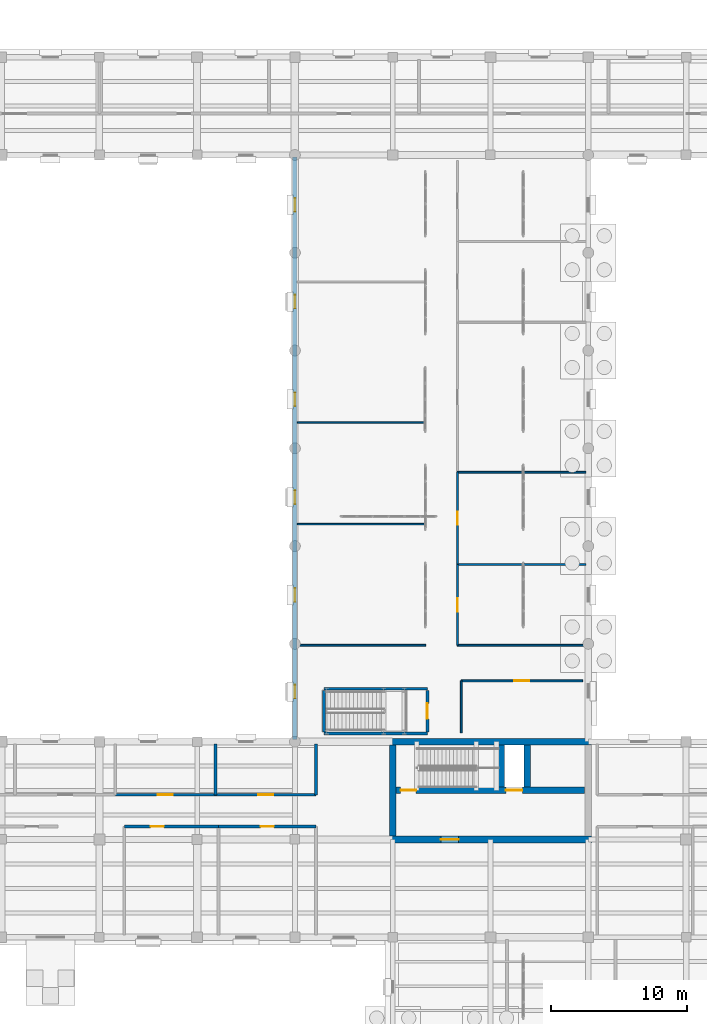
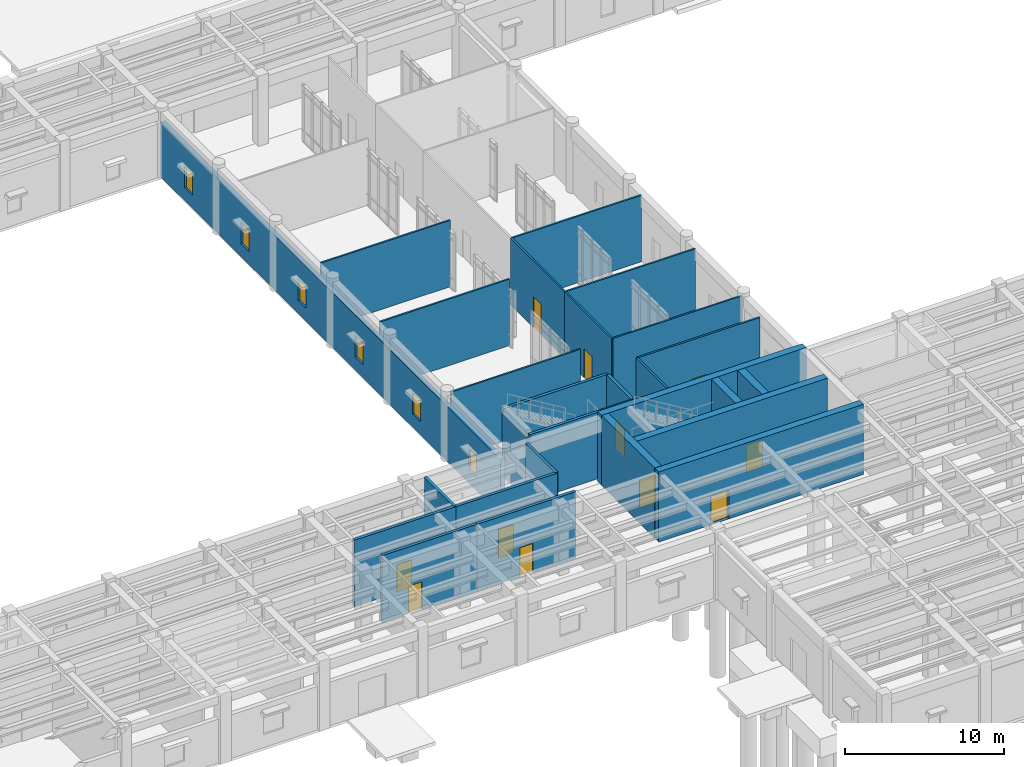
# One storey, part 72 of 100: 27 walls, 11 doors, 6 windows, 17 openings.
"""IFC4 building model written with IfcOpenShell, lengths in metres."""

from ifc_helpers import new_model, si_unit, direction, frame, frame_2d, origin, place, context, subcontext, project, spatial, rectangle, extrude, material, layer, layer_set, type_object, element, fill, save


model = new_model("IFC4")

# Units and contexts
model_context = context("Model", 3, precision=1e-05, world=origin(), true_north=direction((0.0, 1.0)))
body_context = subcontext(model_context, "Body", "Model", "MODEL_VIEW")
ifc_project = project(units=[si_unit("LENGTHUNIT", "METRE"), si_unit("AREAUNIT", "SQUARE_METRE"), si_unit("VOLUMEUNIT", "CUBIC_METRE"), si_unit("PLANEANGLEUNIT", "RADIAN"), si_unit("MASSUNIT", "GRAM", prefix="KILO")], contexts=[model_context])

# Site, building, storey
site_placement = place(None, origin())
site = spatial("IfcSite", under=ifc_project, at=site_placement, CompositionType="ELEMENT")
building_placement = place(site_placement, origin())
building = spatial("IfcBuilding", under=site, at=building_placement, Name="Mithqara Police Headquarters", CompositionType="ELEMENT")
storey_placement = place(building_placement, origin())
storey = spatial("IfcBuildingStorey", under=building, at=storey_placement, Name="L00", CompositionType="ELEMENT", Elevation=0.0)

# Wall, openings, windows
ifc_material_1 = material(Name="Limestone ashlar masonry, 45 MPa", Category="masonry")
ifc_layer_1 = layer(ifc_material_1, 0.320068359375, Name="Limestone ashlar masonry, 45 MPa")
ifc_layer_set_1 = layer_set([ifc_layer_1], Name="Limestone ashlar masonry, 45 MPa")
wall_type_1 = type_object("IfcWallType", Name="EXT WALL LIMESTONE320", PredefinedType="SOLIDWALL", material=ifc_layer_set_1)
wall_1_placement = place(storey_placement, frame((72.60009765625, 78.43994140625, 0.0), z_axis=(0.0, 0.0, 1.0), x_axis=(0.0, -1.0, 0.0)))
wall_1 = element("IfcWall", 1, at=wall_1_placement, inside=storey, type_object=wall_type_1, Name="L00 Exterior Wall 4.1", PredefinedType="SOLIDWALL", context=body_context, shape_type="SweptSolid", body=[
    extrude(rectangle(XDim=42.8798828125, YDim=0.320068359375, at=frame_2d((21.43994140625, 0.0))), origin(), (0.0, 0.0, 1.0), 4.219970703125),
])
opening_1_placement = place(wall_1_placement, frame((38.860107421875, 0.0, 1.0)))
opening_1 = element("IfcOpeningElement", 2, at=opening_1_placement, cuts=wall_1, Name="Opening W-07", PredefinedType="OPENING", context=body_context, shape_type="SweptSolid", body=[
    extrude(rectangle(XDim=1.0, YDim=1.64990234375, at=frame_2d((0.5, 0.824951171875))), frame((0.0, 0.169921875, 0.0), z_axis=(0.0, -1.0, 0.0), x_axis=(1.0, 0.0, 0.0)), (0.0, 0.0, 1.0), 0.340087890625),
])
opening_2_placement = place(wall_1_placement, frame((31.739990234375, 0.0, 1.0)))
opening_2 = element("IfcOpeningElement", 3, at=opening_2_placement, cuts=wall_1, Name="Opening W-07", PredefinedType="OPENING", context=body_context, shape_type="SweptSolid", body=[
    extrude(rectangle(XDim=1.0, YDim=1.64990234375, at=frame_2d((0.5, 0.824951171875))), frame((0.0, 0.169921875, 0.0), z_axis=(0.0, -1.0, 0.0), x_axis=(1.0, 0.0, 0.0)), (0.0, 0.0, 1.0), 0.340087890625),
])
opening_3_placement = place(wall_1_placement, frame((24.5400390625, 0.0, 1.0)))
opening_3 = element("IfcOpeningElement", 4, at=opening_3_placement, cuts=wall_1, Name="Opening W-07", PredefinedType="OPENING", context=body_context, shape_type="SweptSolid", body=[
    extrude(rectangle(XDim=1.0, YDim=1.64990234375, at=frame_2d((0.5, 0.824951171875))), frame((0.0, 0.169921875, 0.0), z_axis=(0.0, -1.0, 0.0), x_axis=(1.0, 0.0, 0.0)), (0.0, 0.0, 1.0), 0.340087890625),
])
opening_4_placement = place(wall_1_placement, frame((17.340087890625, 0.0, 1.0)))
opening_4 = element("IfcOpeningElement", 5, at=opening_4_placement, cuts=wall_1, Name="Opening W-07", PredefinedType="OPENING", context=body_context, shape_type="SweptSolid", body=[
    extrude(rectangle(XDim=1.0, YDim=1.64990234375, at=frame_2d((0.5, 0.824951171875))), frame((0.0, 0.169921875, 0.0), z_axis=(0.0, -1.0, 0.0), x_axis=(1.0, 0.0, 0.0)), (0.0, 0.0, 1.0), 0.340087890625),
])
opening_5_placement = place(wall_1_placement, frame((10.139892578125, 0.0, 1.0)))
opening_5 = element("IfcOpeningElement", 6, at=opening_5_placement, cuts=wall_1, Name="Opening W-07", PredefinedType="OPENING", context=body_context, shape_type="SweptSolid", body=[
    extrude(rectangle(XDim=1.0, YDim=1.64990234375, at=frame_2d((0.5, 0.824951171875))), frame((0.0, 0.169921875, 0.0), z_axis=(0.0, -1.0, 0.0), x_axis=(1.0, 0.0, 0.0)), (0.0, 0.0, 1.0), 0.340087890625),
])
opening_6_placement = place(wall_1_placement, frame((3.02001953125, 0.0, 1.0)))
opening_6 = element("IfcOpeningElement", 7, at=opening_6_placement, cuts=wall_1, Name="Opening W-07", PredefinedType="OPENING", context=body_context, shape_type="SweptSolid", body=[
    extrude(rectangle(XDim=1.0, YDim=1.64990234375, at=frame_2d((0.5, 0.824951171875))), frame((0.0, 0.169921875, 0.0), z_axis=(0.0, -1.0, 0.0), x_axis=(1.0, 0.0, 0.0)), (0.0, 0.0, 1.0), 0.340087890625),
])
ifc_material_2 = material(Name="Spectrally selective double low-e glass", Category="glass")
window_type = type_object("IfcWindowType", Name="WINDOW 1000X1650", PartitioningType="SINGLE_PANEL", PredefinedType="WINDOW", material=ifc_material_2)
window_1_placement = place(opening_1_placement, origin())
window_1 = element("IfcWindow", 8, at=window_1_placement, inside=storey, type_object=window_type, Name="L00 Deep-Set Punched Window 4.1", OverallHeight=1.64990234375, OverallWidth=1.0, PartitioningType="SINGLE_PANEL", PredefinedType="WINDOW", context=body_context, shape_type="SweptSolid", body=[
    extrude(rectangle(XDim=1.0, YDim=1.64990234375, at=frame_2d((0.5, 0.824951171875))), frame((0.0, 0.030029296875, 0.0), z_axis=(0.0, -1.0, 0.0), x_axis=(1.0, 0.0, 0.0)), (0.0, 0.0, 1.0), 0.06005859375),
])
fill(opening_1, window_1)
window_2_placement = place(opening_2_placement, origin())
window_2 = element("IfcWindow", 9, at=window_2_placement, inside=storey, type_object=window_type, Name="L00 Deep-Set Punched Window 4.2", OverallHeight=1.64990234375, OverallWidth=1.0, PartitioningType="SINGLE_PANEL", PredefinedType="WINDOW", context=body_context, shape_type="SweptSolid", body=[
    extrude(rectangle(XDim=1.0, YDim=1.64990234375, at=frame_2d((0.5, 0.824951171875))), frame((0.0, 0.030029296875, 0.0), z_axis=(0.0, -1.0, 0.0), x_axis=(1.0, 0.0, 0.0)), (0.0, 0.0, 1.0), 0.06005859375),
])
fill(opening_2, window_2)
window_3_placement = place(opening_3_placement, origin())
window_3 = element("IfcWindow", 10, at=window_3_placement, inside=storey, type_object=window_type, Name="L00 Deep-Set Punched Window 4.3", OverallHeight=1.64990234375, OverallWidth=1.0, PartitioningType="SINGLE_PANEL", PredefinedType="WINDOW", context=body_context, shape_type="SweptSolid", body=[
    extrude(rectangle(XDim=1.0, YDim=1.64990234375, at=frame_2d((0.5, 0.824951171875))), frame((0.0, 0.030029296875, 0.0), z_axis=(0.0, -1.0, 0.0), x_axis=(1.0, 0.0, 0.0)), (0.0, 0.0, 1.0), 0.06005859375),
])
fill(opening_3, window_3)
window_4_placement = place(opening_4_placement, origin())
window_4 = element("IfcWindow", 11, at=window_4_placement, inside=storey, type_object=window_type, Name="L00 Deep-Set Punched Window 4.4", OverallHeight=1.64990234375, OverallWidth=1.0, PartitioningType="SINGLE_PANEL", PredefinedType="WINDOW", context=body_context, shape_type="SweptSolid", body=[
    extrude(rectangle(XDim=1.0, YDim=1.64990234375, at=frame_2d((0.5, 0.824951171875))), frame((0.0, 0.030029296875, 0.0), z_axis=(0.0, -1.0, 0.0), x_axis=(1.0, 0.0, 0.0)), (0.0, 0.0, 1.0), 0.06005859375),
])
fill(opening_4, window_4)
window_5_placement = place(opening_5_placement, origin())
window_5 = element("IfcWindow", 12, at=window_5_placement, inside=storey, type_object=window_type, Name="L00 Deep-Set Punched Window 4.5", OverallHeight=1.64990234375, OverallWidth=1.0, PartitioningType="SINGLE_PANEL", PredefinedType="WINDOW", context=body_context, shape_type="SweptSolid", body=[
    extrude(rectangle(XDim=1.0, YDim=1.64990234375, at=frame_2d((0.5, 0.824951171875))), frame((0.0, 0.030029296875, 0.0), z_axis=(0.0, -1.0, 0.0), x_axis=(1.0, 0.0, 0.0)), (0.0, 0.0, 1.0), 0.06005859375),
])
fill(opening_5, window_5)
window_6_placement = place(opening_6_placement, origin())
window_6 = element("IfcWindow", 13, at=window_6_placement, inside=storey, type_object=window_type, Name="L00 Deep-Set Punched Window 4.6", OverallHeight=1.64990234375, OverallWidth=1.0, PartitioningType="SINGLE_PANEL", PredefinedType="WINDOW", context=body_context, shape_type="SweptSolid", body=[
    extrude(rectangle(XDim=1.0, YDim=1.64990234375, at=frame_2d((0.5, 0.824951171875))), frame((0.0, 0.030029296875, 0.0), z_axis=(0.0, -1.0, 0.0), x_axis=(1.0, 0.0, 0.0)), (0.0, 0.0, 1.0), 0.06005859375),
])
fill(opening_6, window_6)

# Walls
ifc_material_3 = material(Name="Gypsum acoustic stud partition", Category="gypsum")
ifc_layer_2 = layer(ifc_material_3, 0.1201171875, Name="Gypsum acoustic stud partition")
ifc_layer_set_2 = layer_set([ifc_layer_2], Name="Gypsum acoustic stud partition")
wall_type_2 = type_object("IfcWallType", Name="PART WALL 120", PredefinedType="PARTITIONING", material=ifc_layer_set_2)
for number, where, z_axis, x_axis, name in (
    (14, (72.780029296875, 42.5, 0.0), (0.0, 0.0, 1.0), (1.0, 0.0, 0.0), "L00 Partition End Closure E0"),
    (15, (72.780029296875, 51.419921875, 0.0), (0.0, 0.0, 1.0), (1.0, 0.0, 0.0), "L00 Room Partition Public Entrance Hall"),
    (16, (72.780029296875, 58.889892578125, 0.0), (0.0, 0.0, 1.0), (1.0, 0.0, 0.0), "L00 Room Partition Front Counter"),
    (17, (84.570068359375, 42.5, 0.0), (0.0, 0.0, 1.0), (1.0, 0.0, 0.0), "L00 Partition End Closure E0"),
):
    element("IfcWall", number, at=place(storey_placement, frame(where, z_axis=z_axis, x_axis=x_axis)), inside=storey, type_object=wall_type_2, Name=name, PredefinedType="PARTITIONING", context=body_context, shape_type="SweptSolid", body=[
        extrude(rectangle(XDim=9.449951171875, YDim=0.1201171875, at=frame_2d((4.72509765625, 0.0))), origin(), (0.0, 0.0, 1.0), 5.1201171875),
    ])

# Wall, opening, door
wall_2_placement = place(storey_placement, frame((84.570068359375, 42.5, 0.0), z_axis=(0.0, 0.0, 1.0), x_axis=(0.0, 1.0, 0.0)))
wall_2 = element("IfcWall", 18, at=wall_2_placement, inside=storey, type_object=wall_type_2, Name="L00 Corridor Wall Female Public WC", PredefinedType="PARTITIONING", context=body_context, shape_type="SweptSolid", body=[
    extrude(rectangle(XDim=5.947021484375, YDim=0.1201171875, at=frame_2d((2.9736328125, 0.0))), origin(), (0.0, 0.0, 1.0), 5.1201171875),
])
opening_7_placement = place(wall_2_placement, frame((2.4833984375, 0.0, 0.0)))
opening_7 = element("IfcOpeningElement", 19, at=opening_7_placement, cuts=wall_2, Name="Opening D-05", PredefinedType="OPENING", context=body_context, shape_type="SweptSolid", body=[
    extrude(rectangle(XDim=0.97998046875, YDim=2.219970703125, at=frame_2d((0.489990234375, 1.10986328125))), frame((0.0, 0.070068359375, 0.0), z_axis=(0.0, -1.0, 0.0), x_axis=(1.0, 0.0, 0.0)), (0.0, 0.0, 1.0), 0.14013671875),
])
ifc_material_4 = material(Name="Acoustic solid-core timber leaf", Category="wood")
door_type_1 = type_object("IfcDoorType", Name="INT DOOR 980X2220", OperationType="NOTDEFINED", PredefinedType="DOOR", material=ifc_material_4)
door_1_placement = place(opening_7_placement, origin())
door_1 = element("IfcDoor", 20, at=door_1_placement, inside=storey, type_object=door_type_1, Name="Female Public WC Entry Door", OperationType="SINGLE_SWING_RIGHT", OverallHeight=2.219970703125, OverallWidth=0.97998046875, PredefinedType="DOOR", context=body_context, shape_type="SweptSolid", body=[
    extrude(rectangle(XDim=0.97998046875, YDim=2.219970703125, at=frame_2d((0.489990234375, 1.10986328125))), frame((0.0, 0.02490234375, 0.0), z_axis=(0.0, -1.0, 0.0), x_axis=(1.0, 0.0, 0.0)), (0.0, 0.0, 1.0), 0.050048828125),
])
fill(opening_7, door_1)

# Wall
wall_3_placement = place(storey_placement, frame((84.570068359375, 48.447021484375, 0.0), z_axis=(0.0, 0.0, 1.0), x_axis=(1.0, 0.0, 0.0)))
element("IfcWall", 21, at=wall_3_placement, inside=storey, type_object=wall_type_2, Name="L00 Room Partition Female Public WC", PredefinedType="PARTITIONING", context=body_context, shape_type="SweptSolid", body=[
    extrude(rectangle(XDim=9.449951171875, YDim=0.1201171875, at=frame_2d((4.72509765625, 0.0))), origin(), (0.0, 0.0, 1.0), 5.1201171875),
])

# Wall, opening, door
wall_4_placement = place(storey_placement, frame((84.570068359375, 48.447021484375, 0.0), z_axis=(0.0, 0.0, 1.0), x_axis=(0.0, 1.0, 0.0)))
wall_4 = element("IfcWall", 22, at=wall_4_placement, inside=storey, type_object=wall_type_2, Name="L00 Corridor Wall Accessible WC", PredefinedType="PARTITIONING", context=body_context, shape_type="SweptSolid", body=[
    extrude(rectangle(XDim=6.7958984375, YDim=0.1201171875, at=frame_2d((3.39794921875, 0.0))), origin(), (0.0, 0.0, 1.0), 5.1201171875),
])
opening_8_placement = place(wall_4_placement, frame((2.907958984375, 0.0, 0.0)))
opening_8 = element("IfcOpeningElement", 23, at=opening_8_placement, cuts=wall_4, Name="Opening D-06", PredefinedType="OPENING", context=body_context, shape_type="SweptSolid", body=[
    extrude(rectangle(XDim=0.97998046875, YDim=2.35009765625, at=frame_2d((0.489990234375, 1.175048828125))), frame((0.0, 0.070068359375, 0.0), z_axis=(0.0, -1.0, 0.0), x_axis=(1.0, 0.0, 0.0)), (0.0, 0.0, 1.0), 0.14013671875),
])
door_type_2 = type_object("IfcDoorType", Name="INT DOOR 980X2350", OperationType="NOTDEFINED", PredefinedType="DOOR", material=ifc_material_4)
door_2_placement = place(opening_8_placement, origin())
door_2 = element("IfcDoor", 24, at=door_2_placement, inside=storey, type_object=door_type_2, Name="Accessible WC Entry Door", OperationType="SINGLE_SWING_LEFT", OverallHeight=2.35009765625, OverallWidth=0.97998046875, PredefinedType="DOOR", context=body_context, shape_type="SweptSolid", body=[
    extrude(rectangle(XDim=0.97998046875, YDim=2.35009765625, at=frame_2d((0.489990234375, 1.175048828125))), frame((0.0, 0.02490234375, 0.0), z_axis=(0.0, -1.0, 0.0), x_axis=(1.0, 0.0, 0.0)), (0.0, 0.0, 1.0), 0.050048828125),
])
fill(opening_8, door_2)

# Walls
wall_5_placement = place(storey_placement, frame((84.570068359375, 55.242919921875, 0.0), z_axis=(0.0, 0.0, 1.0), x_axis=(1.0, 0.0, 0.0)))
element("IfcWall", 25, at=wall_5_placement, inside=storey, type_object=wall_type_2, Name="L00 Room Partition Accessible WC", PredefinedType="PARTITIONING", context=body_context, shape_type="SweptSolid", body=[
    extrude(rectangle(XDim=9.449951171875, YDim=0.1201171875, at=frame_2d((4.72509765625, 0.0))), origin(), (0.0, 0.0, 1.0), 5.1201171875),
])
ifc_layer_3 = layer(ifc_material_3, 0.139892578125, Name="Gypsum acoustic stud partition")
ifc_layer_set_3 = layer_set([ifc_layer_3], Name="Gypsum acoustic stud partition")
wall_type_3 = type_object("IfcWallType", Name="PART WALL 140", PredefinedType="PARTITIONING", material=ifc_layer_set_3)
wall_6_placement = place(storey_placement, frame((84.85009765625, 36.050048828125, 0.0), z_axis=(0.0, 0.0, 1.0), x_axis=(0.0, 1.0, 0.0)))
element("IfcWall", 26, at=wall_6_placement, inside=storey, type_object=wall_type_3, Name="L00 Partition End Closure E0", PredefinedType="PARTITIONING", context=body_context, shape_type="SweptSolid", body=[
    extrude(rectangle(XDim=3.829833984375, YDim=0.139892578125, at=frame_2d((1.9150390625, 0.0))), origin(), (0.0, 0.0, 1.0), 5.1201171875),
])

# Wall, opening, door
wall_7_placement = place(storey_placement, frame((84.85009765625, 39.8798828125, 0.0), z_axis=(0.0, 0.0, 1.0), x_axis=(1.0, 0.0, 0.0)))
wall_7 = element("IfcWall", 27, at=wall_7_placement, inside=storey, type_object=wall_type_3, Name="L00 Corridor Wall Public Entrance Hall", PredefinedType="PARTITIONING", context=body_context, shape_type="SweptSolid", body=[
    extrude(rectangle(XDim=8.929931640625, YDim=0.139892578125, at=frame_2d((4.46484375, 0.0))), origin(), (0.0, 0.0, 1.0), 5.1201171875),
])
opening_9_placement = place(wall_7_placement, frame((3.9150390625, 0.0, 0.0)))
opening_9 = element("IfcOpeningElement", 28, at=opening_9_placement, cuts=wall_7, Name="Opening D-10", PredefinedType="OPENING", context=body_context, shape_type="SweptSolid", body=[
    extrude(rectangle(XDim=1.10009765625, YDim=2.10009765625, at=frame_2d((0.550048828125, 1.050048828125))), frame((0.0, 0.080078125, 0.0), z_axis=(0.0, -1.0, 0.0), x_axis=(1.0, 0.0, 0.0)), (0.0, 0.0, 1.0), 0.159912109375),
])
door_type_3 = type_object("IfcDoorType", Name="INT DOOR 1100X2100", OperationType="NOTDEFINED", PredefinedType="DOOR", material=ifc_material_4)
door_3_placement = place(opening_9_placement, frame((1.10009765625, 0.0, 0.0), z_axis=(0.0, 0.0, 1.0), x_axis=(-1.0, 0.0, 0.0)))
door_3 = element("IfcDoor", 29, at=door_3_placement, inside=storey, type_object=door_type_3, Name="Public Entrance Hall Entry Door", OperationType="SINGLE_SWING_LEFT", OverallHeight=2.10009765625, OverallWidth=1.10009765625, PredefinedType="DOOR", context=body_context, shape_type="SweptSolid", body=[
    extrude(rectangle(XDim=1.10009765625, YDim=2.10009765625, at=frame_2d((0.550048828125, 1.050048828125))), frame((0.0, 0.02490234375, 0.0), z_axis=(0.0, -1.0, 0.0), x_axis=(1.0, 0.0, 0.0)), (0.0, 0.0, 1.0), 0.050048828125),
])
fill(opening_9, door_3)

# Walls
ifc_material_5 = material(Name="Concrete C40/50", Category="concrete")
ifc_layer_4 = layer(ifc_material_5, 0.2099609375, Name="Concrete C40/50")
ifc_layer_set_4 = layer_set([ifc_layer_4], Name="Concrete C40/50")
wall_type_4 = type_object("IfcWallType", Name="PART WALL 210", PredefinedType="PARTITIONING", material=ifc_layer_set_4)
for number, where, z_axis, x_axis, name in (
    (30, (74.75, 36.0, 0.0), (0.0, 0.0, 1.0), (1.0, 0.0, 0.0), "L00 ST-05 Stair Enclosure Wall S"),
    (31, (74.75, 39.300048828125, 0.0), (0.0, 0.0, 1.0), (1.0, 0.0, 0.0), "L00 ST-05 Stair Enclosure Wall N"),
):
    element("IfcWall", number, at=place(storey_placement, frame(where, z_axis=z_axis, x_axis=x_axis)), inside=storey, type_object=wall_type_4, Name=name, PredefinedType="PARTITIONING", context=body_context, shape_type="SweptSolid", body=[
        extrude(rectangle(XDim=7.60009765625, YDim=0.2099609375, at=frame_2d((3.800048828125, 0.0))), origin(), (0.0, 0.0, 1.0), 5.1201171875),
    ])
wall_8_placement = place(storey_placement, frame((74.75, 36.114990234375, 0.0), z_axis=(0.0, 0.0, 1.0), x_axis=(0.0, 1.0, 0.0)))
element("IfcWall", 32, at=wall_8_placement, inside=storey, type_object=wall_type_4, Name="L00 ST-05 Stair Enclosure Wall W", PredefinedType="PARTITIONING", context=body_context, shape_type="SweptSolid", body=[
    extrude(rectangle(XDim=3.070068359375, YDim=0.2099609375, at=frame_2d((1.53515625, 0.0))), origin(), (0.0, 0.0, 1.0), 4.860107421875),
])

# Wall, opening, door
wall_9_placement = place(storey_placement, frame((82.35009765625, 36.114990234375, 0.0), z_axis=(0.0, 0.0, 1.0), x_axis=(0.0, 1.0, 0.0)))
wall_9 = element("IfcWall", 33, at=wall_9_placement, inside=storey, type_object=wall_type_4, Name="L00 ST-05 Stair Enclosure Wall E", PredefinedType="PARTITIONING", context=body_context, shape_type="SweptSolid", body=[
    extrude(rectangle(XDim=3.070068359375, YDim=0.2099609375, at=frame_2d((1.53515625, 0.0))), origin(), (0.0, 0.0, 1.0), 5.1201171875),
])
opening_10_placement = place(wall_9_placement, frame((0.9599609375, 0.0, 0.0)))
opening_10 = element("IfcOpeningElement", 34, at=opening_10_placement, cuts=wall_9, Name="Opening FD-01", PredefinedType="OPENING", context=body_context, shape_type="SweptSolid", body=[
    extrude(rectangle(XDim=1.14990234375, YDim=2.14990234375, at=frame_2d((0.574951171875, 1.074951171875))), frame((0.0, 0.114990234375, 0.0), z_axis=(0.0, -1.0, 0.0), x_axis=(1.0, 0.0, 0.0)), (0.0, 0.0, 1.0), 0.22998046875),
])
ifc_material_6 = material(Name="Steel S355JR", Category="steel")
door_type_4 = type_object("IfcDoorType", Name="CORE DOOR STAIR 1150X2150", OperationType="NOTDEFINED", PredefinedType="DOOR", material=ifc_material_6)
door_4_placement = place(opening_10_placement, origin())
door_4 = element("IfcDoor", 35, at=door_4_placement, inside=storey, type_object=door_type_4, Name="L00 ST-05 Gallery Stair Door", OperationType="SINGLE_SWING_LEFT", OverallHeight=2.14990234375, OverallWidth=1.14990234375, PredefinedType="DOOR", context=body_context, shape_type="SweptSolid", body=[
    extrude(rectangle(XDim=1.14990234375, YDim=2.14990234375, at=frame_2d((0.574951171875, 1.074951171875))), frame((0.0, 0.02490234375, 0.0), z_axis=(0.0, -1.0, 0.0), x_axis=(1.0, 0.0, 0.0)), (0.0, 0.0, 1.0), 0.050048828125),
])
fill(opening_10, door_4)

wall_10_placement = place(storey_placement, frame((60.033935546875, 29.14990234375, 0.0), z_axis=(0.0, 0.0, 1.0), x_axis=(1.0, 0.0, 0.0)))
wall_10 = element("IfcWall", 36, at=wall_10_placement, inside=storey, type_object=wall_type_4, Name="L00 Corridor Wall Witness Reception Room", PredefinedType="PARTITIONING", context=body_context, shape_type="SweptSolid", body=[
    extrude(rectangle(XDim=6.93310546875, YDim=0.2099609375, at=frame_2d((3.466552734375, 0.0))), origin(), (0.0, 0.0, 1.0), 5.1201171875),
])
opening_11_placement = place(wall_10_placement, frame((1.9365234375, 0.0, 0.0)))
opening_11 = element("IfcOpeningElement", 37, at=opening_11_placement, cuts=wall_10, Name="Opening D-04", PredefinedType="OPENING", context=body_context, shape_type="SweptSolid", body=[
    extrude(rectangle(XDim=0.97998046875, YDim=2.10009765625, at=frame_2d((0.489990234375, 1.050048828125))), frame((0.0, 0.114990234375, 0.0), z_axis=(0.0, -1.0, 0.0), x_axis=(1.0, 0.0, 0.0)), (0.0, 0.0, 1.0), 0.22998046875),
])
door_type_5 = type_object("IfcDoorType", Name="INT DOOR 980X2100", OperationType="NOTDEFINED", PredefinedType="DOOR", material=ifc_material_4)
door_5_placement = place(opening_11_placement, frame((0.97998046875, 0.0, 0.0), z_axis=(0.0, 0.0, 1.0), x_axis=(-1.0, 0.0, 0.0)))
door_5 = element("IfcDoor", 38, at=door_5_placement, inside=storey, type_object=door_type_5, Name="Witness Reception Room Entry Door", OperationType="SINGLE_SWING_LEFT", OverallHeight=2.10009765625, OverallWidth=0.97998046875, PredefinedType="DOOR", context=body_context, shape_type="SweptSolid", body=[
    extrude(rectangle(XDim=0.97998046875, YDim=2.10009765625, at=frame_2d((0.489990234375, 1.050048828125))), frame((0.0, 0.02490234375, 0.0), z_axis=(0.0, -1.0, 0.0), x_axis=(1.0, 0.0, 0.0)), (0.0, 0.0, 1.0), 0.050048828125),
])
fill(opening_11, door_5)

wall_11_placement = place(storey_placement, frame((66.967041015625, 29.14990234375, 0.0), z_axis=(0.0, 0.0, 1.0), x_axis=(1.0, 0.0, 0.0)))
wall_11 = element("IfcWall", 39, at=wall_11_placement, inside=storey, type_object=wall_type_4, Name="L00 Corridor Wall Lost and Found Counter", PredefinedType="PARTITIONING", context=body_context, shape_type="SweptSolid", body=[
    extrude(rectangle(XDim=7.182861328125, YDim=0.2099609375, at=frame_2d((3.59130859375, 0.0))), origin(), (0.0, 0.0, 1.0), 5.1201171875),
])
opening_12_placement = place(wall_11_placement, frame((3.1015625, 0.0, 0.0)))
opening_12 = element("IfcOpeningElement", 40, at=opening_12_placement, cuts=wall_11, Name="Opening D-05", PredefinedType="OPENING", context=body_context, shape_type="SweptSolid", body=[
    extrude(rectangle(XDim=0.97998046875, YDim=2.219970703125, at=frame_2d((0.489990234375, 1.10986328125))), frame((0.0, 0.114990234375, 0.0), z_axis=(0.0, -1.0, 0.0), x_axis=(1.0, 0.0, 0.0)), (0.0, 0.0, 1.0), 0.22998046875),
])
door_6_placement = place(opening_12_placement, frame((0.97998046875, 0.0, 0.0), z_axis=(0.0, 0.0, 1.0), x_axis=(-1.0, 0.0, 0.0)))
door_6 = element("IfcDoor", 41, at=door_6_placement, inside=storey, type_object=door_type_1, Name="Lost and Found Counter Entry Door", OperationType="SINGLE_SWING_RIGHT", OverallHeight=2.219970703125, OverallWidth=0.97998046875, PredefinedType="DOOR", context=body_context, shape_type="SweptSolid", body=[
    extrude(rectangle(XDim=0.97998046875, YDim=2.219970703125, at=frame_2d((0.489990234375, 1.10986328125))), frame((0.0, 0.02490234375, 0.0), z_axis=(0.0, -1.0, 0.0), x_axis=(1.0, 0.0, 0.0)), (0.0, 0.0, 1.0), 0.050048828125),
])
fill(opening_12, door_6)

# Wall
wall_12_placement = place(storey_placement, frame((74.14990234375, 31.489990234375, 0.0), z_axis=(0.0, 0.0, 1.0), x_axis=(0.0, 1.0, 0.0)))
element("IfcWall", 42, at=wall_12_placement, inside=storey, type_object=wall_type_4, Name="L00 Partition End Closure E1", PredefinedType="PARTITIONING", context=body_context, shape_type="SweptSolid", body=[
    extrude(rectangle(XDim=3.72998046875, YDim=0.2099609375, at=frame_2d((1.864990234375, 0.0))), origin(), (0.0, 0.0, 1.0), 5.1201171875),
])

# Wall, opening, door
wall_13_placement = place(storey_placement, frame((59.373046875, 31.489990234375, 0.0), z_axis=(0.0, 0.0, 1.0), x_axis=(1.0, 0.0, 0.0)))
wall_13 = element("IfcWall", 43, at=wall_13_placement, inside=storey, type_object=wall_type_4, Name="L00 Corridor Wall Witness Reception Room", PredefinedType="PARTITIONING", context=body_context, shape_type="SweptSolid", body=[
    extrude(rectangle(XDim=7.388916015625, YDim=0.2099609375, at=frame_2d((3.6943359375, 0.0))), origin(), (0.0, 0.0, 1.0), 5.1201171875),
])
opening_13_placement = place(wall_13_placement, frame((3.14453125, 0.0, 0.0)))
opening_13 = element("IfcOpeningElement", 44, at=opening_13_placement, cuts=wall_13, Name="Opening D-10", PredefinedType="OPENING", context=body_context, shape_type="SweptSolid", body=[
    extrude(rectangle(XDim=1.10009765625, YDim=2.10009765625, at=frame_2d((0.550048828125, 1.050048828125))), frame((0.0, 0.114990234375, 0.0), z_axis=(0.0, -1.0, 0.0), x_axis=(1.0, 0.0, 0.0)), (0.0, 0.0, 1.0), 0.22998046875),
])
door_7_placement = place(opening_13_placement, origin())
door_7 = element("IfcDoor", 45, at=door_7_placement, inside=storey, type_object=door_type_3, Name="Witness Reception Room Entry Door", OperationType="SINGLE_SWING_LEFT", OverallHeight=2.10009765625, OverallWidth=1.10009765625, PredefinedType="DOOR", context=body_context, shape_type="SweptSolid", body=[
    extrude(rectangle(XDim=1.10009765625, YDim=2.10009765625, at=frame_2d((0.550048828125, 1.050048828125))), frame((0.0, 0.02490234375, 0.0), z_axis=(0.0, -1.0, 0.0), x_axis=(1.0, 0.0, 0.0)), (0.0, 0.0, 1.0), 0.050048828125),
])
fill(opening_13, door_7)

# Wall
wall_14_placement = place(storey_placement, frame((66.761962890625, 31.489990234375, 0.0), z_axis=(0.0, 0.0, 1.0), x_axis=(0.0, 1.0, 0.0)))
element("IfcWall", 46, at=wall_14_placement, inside=storey, type_object=wall_type_4, Name="L00 Room Partition Witness Reception Room", PredefinedType="PARTITIONING", context=body_context, shape_type="SweptSolid", body=[
    extrude(rectangle(XDim=3.72998046875, YDim=0.2099609375, at=frame_2d((1.864990234375, 0.0))), origin(), (0.0, 0.0, 1.0), 5.1201171875),
])

# Wall, opening, door
wall_15_placement = place(storey_placement, frame((66.761962890625, 31.489990234375, 0.0), z_axis=(0.0, 0.0, 1.0), x_axis=(1.0, 0.0, 0.0)))
wall_15 = element("IfcWall", 47, at=wall_15_placement, inside=storey, type_object=wall_type_4, Name="L00 Corridor Wall Lost and Found Counter", PredefinedType="PARTITIONING", context=body_context, shape_type="SweptSolid", body=[
    extrude(rectangle(XDim=7.387939453125, YDim=0.2099609375, at=frame_2d((3.69384765625, 0.0))), origin(), (0.0, 0.0, 1.0), 5.1201171875),
])
opening_14_placement = place(wall_15_placement, frame((3.14404296875, 0.0, 0.0)))
opening_14 = element("IfcOpeningElement", 48, at=opening_14_placement, cuts=wall_15, Name="Opening D-11", PredefinedType="OPENING", context=body_context, shape_type="SweptSolid", body=[
    extrude(rectangle(XDim=1.10009765625, YDim=2.219970703125, at=frame_2d((0.550048828125, 1.10986328125))), frame((0.0, 0.114990234375, 0.0), z_axis=(0.0, -1.0, 0.0), x_axis=(1.0, 0.0, 0.0)), (0.0, 0.0, 1.0), 0.22998046875),
])
door_type_6 = type_object("IfcDoorType", Name="INT DOOR 1100X2220", OperationType="NOTDEFINED", PredefinedType="DOOR", material=ifc_material_4)
door_8_placement = place(opening_14_placement, origin())
door_8 = element("IfcDoor", 49, at=door_8_placement, inside=storey, type_object=door_type_6, Name="Lost and Found Counter Entry Door", OperationType="SINGLE_SWING_RIGHT", OverallHeight=2.219970703125, OverallWidth=1.10009765625, PredefinedType="DOOR", context=body_context, shape_type="SweptSolid", body=[
    extrude(rectangle(XDim=1.10009765625, YDim=2.219970703125, at=frame_2d((0.550048828125, 1.10986328125))), frame((0.0, 0.02490234375, 0.0), z_axis=(0.0, -1.0, 0.0), x_axis=(1.0, 0.0, 0.0)), (0.0, 0.0, 1.0), 0.050048828125),
])
fill(opening_14, door_8)

# Wall
ifc_material_7 = material(Name="Concrete C50/60", Category="concrete")
ifc_layer_5 = layer(ifc_material_7, 0.5, Name="Concrete C50/60")
ifc_layer_set_5 = layer_set([ifc_layer_5], Name="Concrete C50/60")
wall_type_5 = type_object("IfcWallType", Name="SHEAR WALL 500", PredefinedType="SHEAR", material=ifc_layer_set_5)
wall_16_placement = place(storey_placement, frame((79.550048828125, 35.39990234375, 0.0), z_axis=(0.0, 0.0, 1.0), x_axis=(1.0, 0.0, 0.0)))
element("IfcWall", 50, at=wall_16_placement, inside=storey, type_object=wall_type_5, Name="Core C5 Courtyard South Shear Wall N", PredefinedType="SHEAR", context=body_context, shape_type="SweptSolid", body=[
    extrude(rectangle(XDim=14.89990234375, YDim=0.5, at=frame_2d((7.449951171875, 0.0))), origin(), (0.0, 0.0, 1.0), 5.39990234375),
])

# Wall, opening, door
wall_17_placement = place(storey_placement, frame((79.550048828125, 28.199951171875, 0.0), z_axis=(0.0, 0.0, 1.0), x_axis=(1.0, 0.0, 0.0)))
wall_17 = element("IfcWall", 51, at=wall_17_placement, inside=storey, type_object=wall_type_5, Name="Core C5 Courtyard South Shear Wall S", PredefinedType="SHEAR", context=body_context, shape_type="SweptSolid", body=[
    extrude(rectangle(XDim=14.89990234375, YDim=0.5, at=frame_2d((7.449951171875, 0.0))), origin(), (0.0, 0.0, 1.0), 5.39990234375),
])
opening_15_placement = place(wall_17_placement, frame((3.800048828125, 0.0, 0.0)))
opening_15 = element("IfcOpeningElement", 52, at=opening_15_placement, cuts=wall_17, Name="Opening FD-02", PredefinedType="OPENING", context=body_context, shape_type="SweptSolid", body=[
    extrude(rectangle(XDim=1.300048828125, YDim=2.199951171875, at=frame_2d((0.64990234375, 1.10009765625))), frame((0.0, 0.260009765625, 0.0), z_axis=(0.0, -1.0, 0.0), x_axis=(1.0, 0.0, 0.0)), (0.0, 0.0, 1.0), 0.52001953125),
])
door_type_7 = type_object("IfcDoorType", Name="CORE DOOR LOBBY 1300X2200", OperationType="NOTDEFINED", PredefinedType="DOOR", material=ifc_material_6)
door_9_placement = place(opening_15_placement, frame((1.300048828125, 0.0, 0.0), z_axis=(0.0, 0.0, 1.0), x_axis=(-1.0, 0.0, 0.0)))
door_9 = element("IfcDoor", 53, at=door_9_placement, inside=storey, type_object=door_type_7, Name="Core C5 Courtyard South Lobby Fire Door L00", OperationType="SINGLE_SWING_LEFT", OverallHeight=2.199951171875, OverallWidth=1.300048828125, PredefinedType="DOOR", context=body_context, shape_type="SweptSolid", body=[
    extrude(rectangle(XDim=1.300048828125, YDim=2.199951171875, at=frame_2d((0.64990234375, 1.10009765625))), frame((0.0, 0.02490234375, 0.0), z_axis=(0.0, -1.0, 0.0), x_axis=(1.0, 0.0, 0.0)), (0.0, 0.0, 1.0), 0.050048828125),
])
fill(opening_15, door_9)

# Wall
wall_18_placement = place(storey_placement, frame((79.800048828125, 28.4599609375, 0.0), z_axis=(0.0, 0.0, 1.0), x_axis=(0.0, 1.0, 0.0)))
element("IfcWall", 54, at=wall_18_placement, inside=storey, type_object=wall_type_5, Name="Core C5 Courtyard South Shear Wall W", PredefinedType="SHEAR", context=body_context, shape_type="SweptSolid", body=[
    extrude(rectangle(XDim=6.679931640625, YDim=0.5, at=frame_2d((3.33984375, 0.0))), origin(), (0.0, 0.0, 1.0), 5.39990234375),
])

# Wall, openings, doors
wall_19_placement = place(storey_placement, frame((80.06005859375, 31.820068359375, 0.0), z_axis=(0.0, 0.0, 1.0), x_axis=(1.0, 0.0, 0.0)))
wall_19 = element("IfcWall", 55, at=wall_19_placement, inside=storey, type_object=wall_type_5, Name="Core C5 Courtyard South Shear Wall M", PredefinedType="SHEAR", context=body_context, shape_type="SweptSolid", body=[
    extrude(rectangle(XDim=13.8798828125, YDim=0.5, at=frame_2d((6.93994140625, 0.0))), origin(), (0.0, 0.0, 1.0), 5.39990234375),
])
opening_16_placement = place(wall_19_placement, frame((8.080078125, 0.0, 0.0)))
opening_16 = element("IfcOpeningElement", 56, at=opening_16_placement, cuts=wall_19, Name="Opening LD-02", PredefinedType="OPENING", context=body_context, shape_type="SweptSolid", body=[
    extrude(rectangle(XDim=1.199951171875, YDim=2.14990234375, at=frame_2d((0.60009765625, 1.074951171875))), frame((0.0, 0.260009765625, 0.0), z_axis=(0.0, -1.0, 0.0), x_axis=(1.0, 0.0, 0.0)), (0.0, 0.0, 1.0), 0.52001953125),
])
opening_17_placement = place(wall_19_placement, frame((0.31494140625, 0.0, 0.0)))
opening_17 = element("IfcOpeningElement", 57, at=opening_17_placement, cuts=wall_19, Name="Opening FD-01", PredefinedType="OPENING", context=body_context, shape_type="SweptSolid", body=[
    extrude(rectangle(XDim=1.14990234375, YDim=2.14990234375, at=frame_2d((0.574951171875, 1.074951171875))), frame((0.0, 0.260009765625, 0.0), z_axis=(0.0, -1.0, 0.0), x_axis=(1.0, 0.0, 0.0)), (0.0, 0.0, 1.0), 0.52001953125),
])
door_10_placement = place(opening_17_placement, origin())
door_10 = element("IfcDoor", 58, at=door_10_placement, inside=storey, type_object=door_type_4, Name="Stair ST-07 Fire Door L00", OperationType="SINGLE_SWING_RIGHT", OverallHeight=2.14990234375, OverallWidth=1.14990234375, PredefinedType="DOOR", context=body_context, shape_type="SweptSolid", body=[
    extrude(rectangle(XDim=1.14990234375, YDim=2.14990234375, at=frame_2d((0.574951171875, 1.074951171875))), frame((0.0, 0.02490234375, 0.0), z_axis=(0.0, -1.0, 0.0), x_axis=(1.0, 0.0, 0.0)), (0.0, 0.0, 1.0), 0.050048828125),
])
fill(opening_17, door_10)
door_type_8 = type_object("IfcDoorType", Name="LIFT DOOR 1200X2150", OperationType="DOUBLE_DOOR_SLIDING", PredefinedType="DOOR", material=ifc_material_6)
door_11_placement = place(opening_16_placement, frame((1.199951171875, 0.0, 0.0), z_axis=(0.0, 0.0, 1.0), x_axis=(-1.0, 0.0, 0.0)))
door_11 = element("IfcDoor", 59, at=door_11_placement, inside=storey, type_object=door_type_8, Name="Lift Landing Door LP-07-L00", OperationType="DOUBLE_DOOR_SLIDING", OverallHeight=2.14990234375, OverallWidth=1.199951171875, PredefinedType="DOOR", context=body_context, shape_type="SweptSolid", body=[
    extrude(rectangle(XDim=1.199951171875, YDim=2.14990234375, at=frame_2d((0.60009765625, 1.074951171875))), frame((0.0, 0.02490234375, 0.0), z_axis=(0.0, -1.0, 0.0), x_axis=(1.0, 0.0, 0.0)), (0.0, 0.0, 1.0), 0.050048828125),
])
fill(opening_16, door_11)

# Walls
for number, where, z_axis, x_axis, name in (
    (60, (87.780029296875, 32.080078125, 0.0), (0.0, 0.0, 1.0), (0.0, 1.0, 0.0), "Core C5 Courtyard South Shear Wall X"),
    (61, (89.699951171875, 32.080078125, 0.0), (0.0, 0.0, 1.0), (0.0, 1.0, 0.0), "Core C5 Courtyard South Shear Wall L1"),
):
    element("IfcWall", number, at=place(storey_placement, frame(where, z_axis=z_axis, x_axis=x_axis)), inside=storey, type_object=wall_type_5, Name=name, PredefinedType="SHEAR", context=body_context, shape_type="SweptSolid", body=[
        extrude(rectangle(XDim=3.059814453125, YDim=0.5, at=frame_2d((1.52978515625, 0.0))), origin(), (0.0, 0.0, 1.0), 5.39990234375),
    ])

save(model, "model.ifc")
